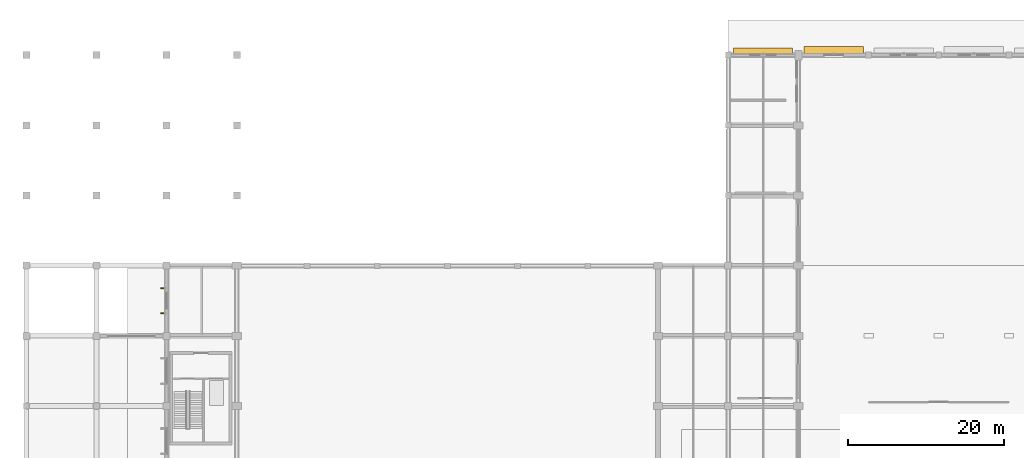
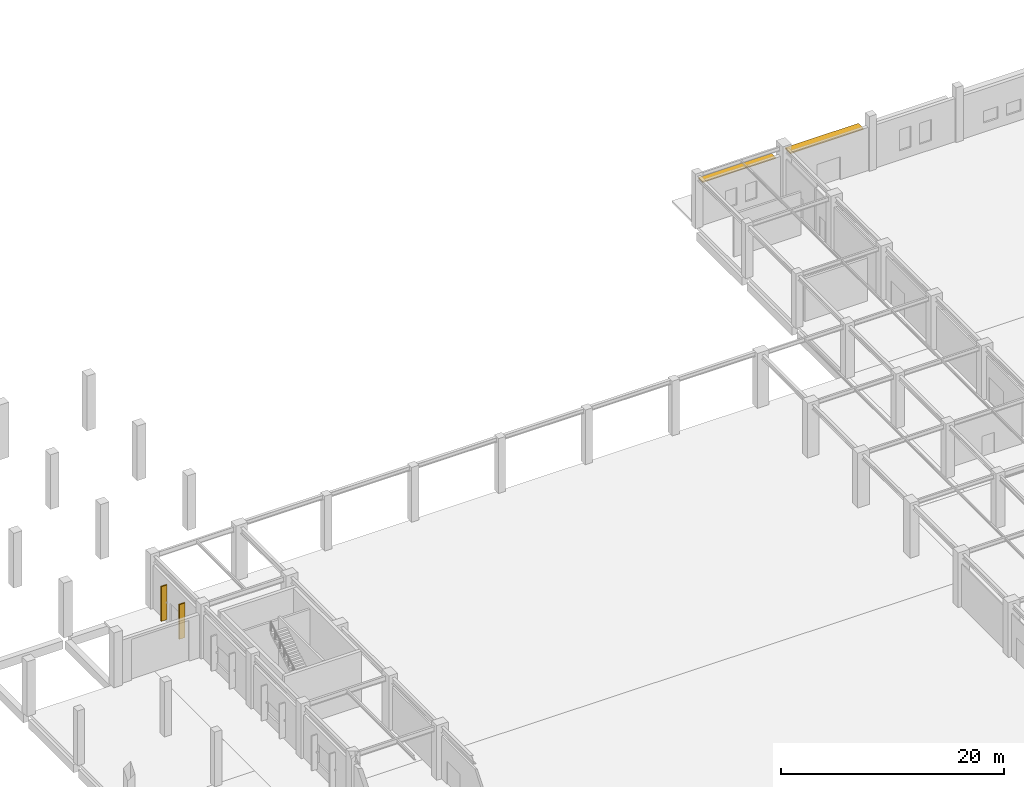
# One storey, part 89 of 91: 4 shading devices.
"""IFC4 building model written with IfcOpenShell, lengths in metres."""

import ifcopenshell
import ifcopenshell.guid

model = None  # the IFC model being written
_history = None  # IfcOwnerHistory: only IFC2X3 demands one
_inside = {}  # id of a spatial element -> (the spatial element, [elements in it])
_under = {}  # id of a project, library or spatial element -> (it, [spatial elements below it])
_declared = {}  # id of a project -> (the project, [libraries it declares])
_typed = {}  # id of a type object -> (the type object, [elements of that type])
_made_of = {}  # id of a material, layer set ... -> (it, [elements and type objects made of it])


def new_model(schema):
    """Start an empty IFC model of exactly this schema.

    Asked for "IFC4X3", IfcOpenShell would pick the latest addendum, in which some entities
    have other attributes; the version numbers below select the first issue.
    IFC2X3 requires an IfcOwnerHistory on every rooted entity: one is made here for all.
    """
    global model, _history
    if schema == "IFC4X3":
        model = ifcopenshell.file(schema_version=(4, 3, 0, 0))
    else:
        model = ifcopenshell.file(schema=schema)
    _inside.clear()
    _under.clear()
    _declared.clear()
    _typed.clear()
    _made_of.clear()
    _history = None
    if model.schema == "IFC2X3":
        org = make("IfcOrganization", Name="unknown")
        user = make(
            "IfcPersonAndOrganization",
            ThePerson=make("IfcPerson", FamilyName="unknown"),
            TheOrganization=org,
        )
        app = make(
            "IfcApplication",
            ApplicationDeveloper=org,
            Version="unknown",
            ApplicationFullName="unknown",
            ApplicationIdentifier="unknown",
        )
        _history = make(
            "IfcOwnerHistory",
            OwningUser=user,
            OwningApplication=app,
            ChangeAction="ADDED",
            CreationDate=0,
        )
    return model


def make(cls, **values):
    """One entity of the class cls with the attributes given. An attribute that is None is left unset."""
    return model.create_entity(
        cls, **{name: value for name, value in values.items() if value is not None}
    )


def rooted(cls, **values):
    """An entity with a GlobalId (a new one), such as an element, a storey or a relation."""
    return make(cls, GlobalId=ifcopenshell.guid.new(), OwnerHistory=_history, **values)


def si_unit(unit_type, name, prefix=None):
    """IfcSIUnit, for example si_unit("LENGTHUNIT", "METRE", prefix="MILLI")."""
    return make("IfcSIUnit", UnitType=unit_type, Prefix=prefix, Name=name)


def assignment(units):
    """IfcUnitAssignment: the units of a project."""
    return None if units is None else make("IfcUnitAssignment", Units=units)


def point(xyz):
    """IfcCartesianPoint."""
    return None if xyz is None else make("IfcCartesianPoint", Coordinates=xyz)


def direction(xyz):
    """IfcDirection."""
    return None if xyz is None else make("IfcDirection", DirectionRatios=xyz)


def frame(location, z_axis=None, x_axis=None):
    """IfcAxis2Placement3D, a coordinate frame: its origin and axes. An axis left out is left unset."""
    return make(
        "IfcAxis2Placement3D",
        Location=point(location),
        Axis=direction(z_axis),
        RefDirection=direction(x_axis),
    )


def frame_2d(location, x_axis=None):
    """IfcAxis2Placement2D, a coordinate frame in the plane: its origin and x axis."""
    return make(
        "IfcAxis2Placement2D", Location=point(location), RefDirection=direction(x_axis)
    )


def origin():
    """The frame at (0, 0, 0) with its axes left unset."""
    return frame((0.0, 0.0, 0.0))


def origin_2d():
    """The frame at (0, 0) in the plane with its x axis left unset."""
    return frame_2d((0.0, 0.0))


def place(relative_to, where):
    """IfcLocalPlacement: puts the frame where relative to a parent placement (None: the world)."""
    return make(
        "IfcLocalPlacement", PlacementRelTo=relative_to, RelativePlacement=where
    )


def context(
    kind, dimensions, precision=None, world=None, true_north=None, identifier=None
):
    """IfcGeometricRepresentationContext, for example the 3D "Model" context."""
    return make(
        "IfcGeometricRepresentationContext",
        ContextIdentifier=identifier,
        ContextType=kind,
        CoordinateSpaceDimension=dimensions,
        Precision=precision,
        WorldCoordinateSystem=world,
        TrueNorth=true_north,
    )


def subcontext(parent, identifier, kind, view, scale=None):
    """IfcGeometricRepresentationSubContext, for example "Body" below "Model"."""
    return make(
        "IfcGeometricRepresentationSubContext",
        ContextIdentifier=identifier,
        ContextType=kind,
        ParentContext=parent,
        TargetScale=scale,
        TargetView=view,
    )


def project(units=None, contexts=None):
    """IfcProject with its units and contexts."""
    return rooted(
        "IfcProject",
        Name="project",
        RepresentationContexts=contexts,
        UnitsInContext=assignment(units),
    )


def spatial(cls, under=None, at=None, **own):
    """A site, building, storey or space (cls), placed at a placement, below another one or the project."""
    s = rooted(cls, ObjectPlacement=at, **own)
    if under is not None:
        _under.setdefault(under.id(), (under, []))[1].append(s)
    return s


def profile(cls, at=None, kind="AREA", **sizes):
    """A parametric profile (cls). Its sizes go by their IFC names, for example OverallWidth=200.0."""
    return make(cls, ProfileType=kind, Position=at, **sizes)


def rectangle(**sizes):
    """IfcRectangleProfileDef."""
    return profile("IfcRectangleProfileDef", **sizes)


def extrude(swept, where, along, depth):
    """IfcExtrudedAreaSolid: the profile swept, set in the frame where, extruded along a direction by depth."""
    return make(
        "IfcExtrudedAreaSolid",
        SweptArea=swept,
        Position=where,
        ExtrudedDirection=direction(along),
        Depth=depth,
    )


def shape(context_of_items, identifier, shape_type, items):
    """IfcShapeRepresentation: the items that make up one representation, for example the "Body"."""
    return make(
        "IfcShapeRepresentation",
        ContextOfItems=context_of_items,
        RepresentationIdentifier=identifier,
        RepresentationType=shape_type,
        Items=items,
    )


def material(Name=None, Category=None):
    """IfcMaterial."""
    return make("IfcMaterial", Name=Name, Category=Category)


def layer(
    of_material, thickness, ventilated=None, Name=None, Category=None, Priority=None
):
    """IfcMaterialLayer: one layer of a wall or slab, of a material (None: an air gap)."""
    return make(
        "IfcMaterialLayer",
        Material=of_material,
        LayerThickness=thickness,
        IsVentilated=ventilated,
        Name=Name,
        Category=Category,
        Priority=Priority,
    )


def layer_set(layers, Name=None):
    """IfcMaterialLayerSet."""
    return make("IfcMaterialLayerSet", MaterialLayers=layers, LayerSetName=Name)


def made_of(thing, what):
    """Note that an element or type object is made of a material, layer set ...; save() writes the relation."""
    if what is not None:
        _made_of.setdefault(what.id(), (what, []))[1].append(thing)
    return thing


def type_object(cls, material=None, **own):
    """A type object (cls), such as IfcWallType, which elements share."""
    return made_of(rooted(cls, **own), material)


def element(
    cls,
    number,
    at=None,
    inside=None,
    cuts=None,
    type_object=None,
    material=None,
    context=None,
    identifier="Body",
    shape_type=None,
    held_by="IfcProductDefinitionShape",
    body=None,
    shapes=None,
    **own,
):
    """One element of the class cls, such as IfcWall. Its Tag is "e" and its number.

    at: its placement. inside: the storey or other place that contains it. cuts: it is an
    opening in that element (IfcRelVoidsElement). A single representation is given by context,
    identifier, shape_type and body (its items); several are given by shapes. held_by: the class
    of the entity that holds the representations. save() writes the other relations.
    """
    e = rooted(cls, Tag="e%d" % number, ObjectPlacement=at, **own)
    if body is not None:
        shapes = [shape(context, identifier, shape_type, body)]
    if shapes is not None:
        e.Representation = make(held_by, Representations=shapes)
    if inside is not None:
        _inside.setdefault(inside.id(), (inside, []))[1].append(e)
    if cuts is not None:
        rooted(
            "IfcRelVoidsElement", RelatingBuildingElement=cuts, RelatedOpeningElement=e
        )
    if type_object is not None:
        _typed.setdefault(type_object.id(), (type_object, []))[1].append(e)
    return made_of(e, material)


def aggregate(whole, parts):
    """IfcRelAggregates: a whole, such as a stair, and the parts it consists of."""
    return rooted("IfcRelAggregates", RelatingObject=whole, RelatedObjects=parts)


def save(model, path):
    """Write the relations noted so far, then the file.

    IfcRelAggregates (storeys below a building ...), IfcRelContainedInSpatialStructure (elements
    in a storey), IfcRelDefinesByType, IfcRelAssociatesMaterial and IfcRelDeclares: one each for
    every whole, place, type object, material and project.
    """
    for whole, parts in _under.values():
        aggregate(whole, parts)
    for where, things in _inside.values():
        rooted(
            "IfcRelContainedInSpatialStructure",
            RelatedElements=things,
            RelatingStructure=where,
        )
    for kind, things in _typed.values():
        rooted("IfcRelDefinesByType", RelatedObjects=things, RelatingType=kind)
    for what, things in _made_of.values():
        rooted("IfcRelAssociatesMaterial", RelatedObjects=things, RelatingMaterial=what)
    for by, libraries in _declared.values():
        rooted("IfcRelDeclares", RelatingContext=by, RelatedDefinitions=libraries)
    model.write(path)


model = new_model("IFC4")

# Units and contexts
model_context = context("Model", 3, precision=1e-05, world=origin(), true_north=direction((0.0, 1.0)))
body_context = subcontext(model_context, "Body", "Model", "MODEL_VIEW")
ifc_project = project(units=[si_unit("LENGTHUNIT", "METRE"), si_unit("AREAUNIT", "SQUARE_METRE"), si_unit("VOLUMEUNIT", "CUBIC_METRE"), si_unit("PLANEANGLEUNIT", "RADIAN"), si_unit("MASSUNIT", "GRAM", prefix="KILO")], contexts=[model_context])

# Site, building, storey
site_placement = place(None, origin())
site = spatial("IfcSite", under=ifc_project, at=site_placement, CompositionType="ELEMENT")
building_placement = place(site_placement, origin())
building = spatial("IfcBuilding", under=site, at=building_placement, Name="Dornveld Trade and Exhibition Forum", CompositionType="ELEMENT")
storey_placement = place(building_placement, origin())
storey = spatial("IfcBuildingStorey", under=building, at=storey_placement, Name="L00", CompositionType="ELEMENT", Elevation=0.0)

# Shading devices
ifc_material_1 = material(Name="Precast concrete C50/60", Category="concrete")
ifc_layer_1 = layer(ifc_material_1, 0.139892578125)
ifc_layer_set_1 = layer_set([ifc_layer_1], Name="Precast concrete C50/60")
shading_device_type_1 = type_object("IfcShadingDeviceType", Name="SHD-FIN-600", PredefinedType="JALOUSIE", material=ifc_layer_set_1)
for number, where, z_axis, x_axis, name in (
    (1, (17.52001953125, 132.1201171875, 0.2998046875), (0.0, 0.0, 1.0), (0.0, -1.0, 0.0), "L00 vertical solar brise-soleil fin 93"),
    (2, (17.52001953125, 128.8798828125, 0.2998046875), (0.0, 0.0, 1.0), (0.0, -1.0, 0.0), "L00 vertical solar brise-soleil fin 94"),
):
    element("IfcShadingDevice", number, at=place(storey_placement, frame(where, z_axis=z_axis, x_axis=x_axis)), inside=storey, type_object=shading_device_type_1, Name=name, PredefinedType="JALOUSIE", context=body_context, shape_type="SweptSolid", body=[
        extrude(rectangle(XDim=0.139892578125, YDim=0.60009765625, at=origin_2d()), origin(), (0.0, 0.0, 1.0), 3.800048828125),
    ])
ifc_material_2 = material(Name="Dark-bronze anodised aluminium", Category="aluminium")
ifc_layer_2 = layer(ifc_material_2, 0.139892578125)
ifc_layer_set_2 = layer_set([ifc_layer_2], Name="Dark-bronze anodised aluminium")
shading_device_type_2 = type_object("IfcShadingDeviceType", Name="SHD-HOOD-750", PredefinedType="AWNING", material=ifc_layer_set_2)
shading_device_1_placement = place(storey_placement, frame((94.46240234375, 162.554931640625, 4.35009765625), z_axis=(0.0, 0.0, 1.0), x_axis=(-1.0, 0.0, 0.0)))
element("IfcShadingDevice", 3, at=shading_device_1_placement, inside=storey, type_object=shading_device_type_2, Name="L00 northern horizontal sun-hood 10", PredefinedType="AWNING", context=body_context, shape_type="SweptSolid", body=[
    extrude(rectangle(XDim=7.60009765625, YDim=0.75, at=origin_2d()), origin(), (0.0, 0.0, 1.0), 0.139892578125),
])
ifc_material_3 = material(Name="Precast concrete C50/60", Category="concrete")
ifc_layer_3 = layer(ifc_material_3, 0.159912109375)
ifc_layer_set_3 = layer_set([ifc_layer_3], Name="Precast concrete C50/60")
shading_device_type_3 = type_object("IfcShadingDeviceType", Name="SHD-HOOD-900", PredefinedType="AWNING", material=ifc_layer_set_3)
shading_device_2_placement = place(storey_placement, frame((103.53759765625, 162.6298828125, 4.33984375), z_axis=(0.0, 0.0, 1.0), x_axis=(-1.0, 0.0, 0.0)))
element("IfcShadingDevice", 4, at=shading_device_2_placement, inside=storey, type_object=shading_device_type_3, Name="L00 northern horizontal sun-hood 11", PredefinedType="AWNING", context=body_context, shape_type="SweptSolid", body=[
    extrude(rectangle(XDim=7.60009765625, YDim=0.89990234375, at=origin_2d()), origin(), (0.0, 0.0, 1.0), 0.159912109375),
])

save(model, "model.ifc")
